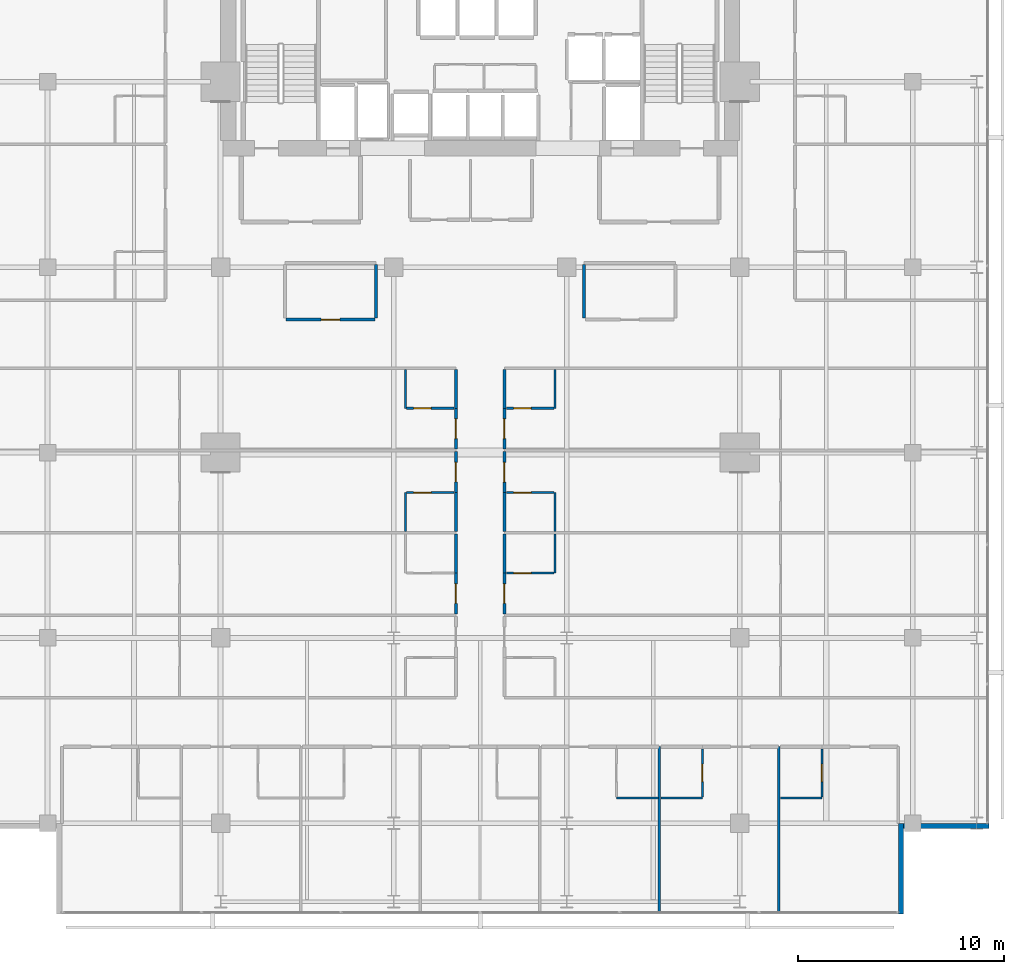
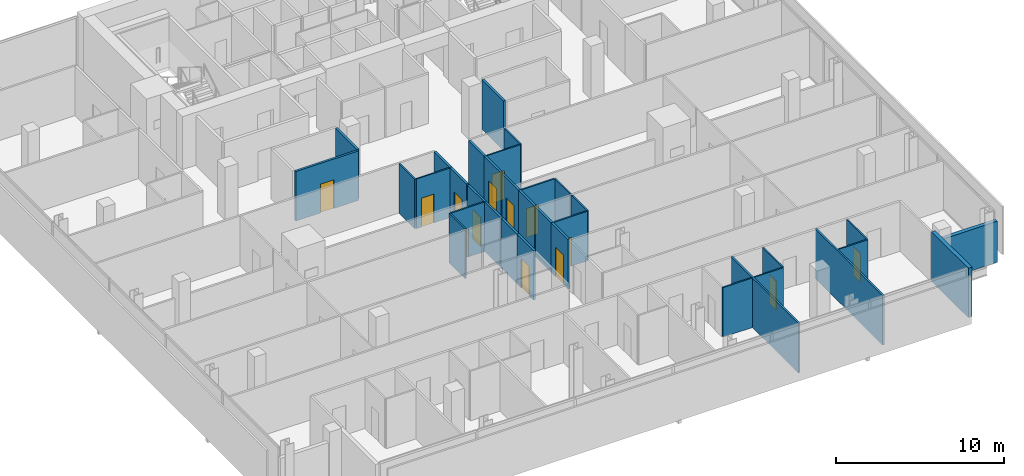
# One storey, part 28 of 34: 34 walls, 14 doors, 14 openings.
"""IFC4 building model written with IfcOpenShell, lengths in metres."""

import ifcopenshell
import ifcopenshell.guid

model = None  # the IFC model being written
_history = None  # IfcOwnerHistory: only IFC2X3 demands one
_inside = {}  # id of a spatial element -> (the spatial element, [elements in it])
_under = {}  # id of a project, library or spatial element -> (it, [spatial elements below it])
_declared = {}  # id of a project -> (the project, [libraries it declares])
_typed = {}  # id of a type object -> (the type object, [elements of that type])
_made_of = {}  # id of a material, layer set ... -> (it, [elements and type objects made of it])


def new_model(schema):
    """Start an empty IFC model of exactly this schema.

    Asked for "IFC4X3", IfcOpenShell would pick the latest addendum, in which some entities
    have other attributes; the version numbers below select the first issue.
    IFC2X3 requires an IfcOwnerHistory on every rooted entity: one is made here for all.
    """
    global model, _history
    if schema == "IFC4X3":
        model = ifcopenshell.file(schema_version=(4, 3, 0, 0))
    else:
        model = ifcopenshell.file(schema=schema)
    _inside.clear()
    _under.clear()
    _declared.clear()
    _typed.clear()
    _made_of.clear()
    _history = None
    if model.schema == "IFC2X3":
        org = make("IfcOrganization", Name="unknown")
        user = make(
            "IfcPersonAndOrganization",
            ThePerson=make("IfcPerson", FamilyName="unknown"),
            TheOrganization=org,
        )
        app = make(
            "IfcApplication",
            ApplicationDeveloper=org,
            Version="unknown",
            ApplicationFullName="unknown",
            ApplicationIdentifier="unknown",
        )
        _history = make(
            "IfcOwnerHistory",
            OwningUser=user,
            OwningApplication=app,
            ChangeAction="ADDED",
            CreationDate=0,
        )
    return model


def make(cls, **values):
    """One entity of the class cls with the attributes given. An attribute that is None is left unset."""
    return model.create_entity(
        cls, **{name: value for name, value in values.items() if value is not None}
    )


def rooted(cls, **values):
    """An entity with a GlobalId (a new one), such as an element, a storey or a relation."""
    return make(cls, GlobalId=ifcopenshell.guid.new(), OwnerHistory=_history, **values)


def si_unit(unit_type, name, prefix=None):
    """IfcSIUnit, for example si_unit("LENGTHUNIT", "METRE", prefix="MILLI")."""
    return make("IfcSIUnit", UnitType=unit_type, Prefix=prefix, Name=name)


def assignment(units):
    """IfcUnitAssignment: the units of a project."""
    return None if units is None else make("IfcUnitAssignment", Units=units)


def point(xyz):
    """IfcCartesianPoint."""
    return None if xyz is None else make("IfcCartesianPoint", Coordinates=xyz)


def direction(xyz):
    """IfcDirection."""
    return None if xyz is None else make("IfcDirection", DirectionRatios=xyz)


def frame(location, z_axis=None, x_axis=None):
    """IfcAxis2Placement3D, a coordinate frame: its origin and axes. An axis left out is left unset."""
    return make(
        "IfcAxis2Placement3D",
        Location=point(location),
        Axis=direction(z_axis),
        RefDirection=direction(x_axis),
    )


def frame_2d(location, x_axis=None):
    """IfcAxis2Placement2D, a coordinate frame in the plane: its origin and x axis."""
    return make(
        "IfcAxis2Placement2D", Location=point(location), RefDirection=direction(x_axis)
    )


def origin():
    """The frame at (0, 0, 0) with its axes left unset."""
    return frame((0.0, 0.0, 0.0))


def place(relative_to, where):
    """IfcLocalPlacement: puts the frame where relative to a parent placement (None: the world)."""
    return make(
        "IfcLocalPlacement", PlacementRelTo=relative_to, RelativePlacement=where
    )


def context(
    kind, dimensions, precision=None, world=None, true_north=None, identifier=None
):
    """IfcGeometricRepresentationContext, for example the 3D "Model" context."""
    return make(
        "IfcGeometricRepresentationContext",
        ContextIdentifier=identifier,
        ContextType=kind,
        CoordinateSpaceDimension=dimensions,
        Precision=precision,
        WorldCoordinateSystem=world,
        TrueNorth=true_north,
    )


def subcontext(parent, identifier, kind, view, scale=None):
    """IfcGeometricRepresentationSubContext, for example "Body" below "Model"."""
    return make(
        "IfcGeometricRepresentationSubContext",
        ContextIdentifier=identifier,
        ContextType=kind,
        ParentContext=parent,
        TargetScale=scale,
        TargetView=view,
    )


def project(units=None, contexts=None):
    """IfcProject with its units and contexts."""
    return rooted(
        "IfcProject",
        Name="project",
        RepresentationContexts=contexts,
        UnitsInContext=assignment(units),
    )


def spatial(cls, under=None, at=None, **own):
    """A site, building, storey or space (cls), placed at a placement, below another one or the project."""
    s = rooted(cls, ObjectPlacement=at, **own)
    if under is not None:
        _under.setdefault(under.id(), (under, []))[1].append(s)
    return s


def profile(cls, at=None, kind="AREA", **sizes):
    """A parametric profile (cls). Its sizes go by their IFC names, for example OverallWidth=200.0."""
    return make(cls, ProfileType=kind, Position=at, **sizes)


def rectangle(**sizes):
    """IfcRectangleProfileDef."""
    return profile("IfcRectangleProfileDef", **sizes)


def extrude(swept, where, along, depth):
    """IfcExtrudedAreaSolid: the profile swept, set in the frame where, extruded along a direction by depth."""
    return make(
        "IfcExtrudedAreaSolid",
        SweptArea=swept,
        Position=where,
        ExtrudedDirection=direction(along),
        Depth=depth,
    )


def shape(context_of_items, identifier, shape_type, items):
    """IfcShapeRepresentation: the items that make up one representation, for example the "Body"."""
    return make(
        "IfcShapeRepresentation",
        ContextOfItems=context_of_items,
        RepresentationIdentifier=identifier,
        RepresentationType=shape_type,
        Items=items,
    )


def material(Name=None, Category=None):
    """IfcMaterial."""
    return make("IfcMaterial", Name=Name, Category=Category)


def layer(
    of_material, thickness, ventilated=None, Name=None, Category=None, Priority=None
):
    """IfcMaterialLayer: one layer of a wall or slab, of a material (None: an air gap)."""
    return make(
        "IfcMaterialLayer",
        Material=of_material,
        LayerThickness=thickness,
        IsVentilated=ventilated,
        Name=Name,
        Category=Category,
        Priority=Priority,
    )


def layer_set(layers, Name=None):
    """IfcMaterialLayerSet."""
    return make("IfcMaterialLayerSet", MaterialLayers=layers, LayerSetName=Name)


def made_of(thing, what):
    """Note that an element or type object is made of a material, layer set ...; save() writes the relation."""
    if what is not None:
        _made_of.setdefault(what.id(), (what, []))[1].append(thing)
    return thing


def type_object(cls, material=None, **own):
    """A type object (cls), such as IfcWallType, which elements share."""
    return made_of(rooted(cls, **own), material)


def element(
    cls,
    number,
    at=None,
    inside=None,
    cuts=None,
    type_object=None,
    material=None,
    context=None,
    identifier="Body",
    shape_type=None,
    held_by="IfcProductDefinitionShape",
    body=None,
    shapes=None,
    **own,
):
    """One element of the class cls, such as IfcWall. Its Tag is "e" and its number.

    at: its placement. inside: the storey or other place that contains it. cuts: it is an
    opening in that element (IfcRelVoidsElement). A single representation is given by context,
    identifier, shape_type and body (its items); several are given by shapes. held_by: the class
    of the entity that holds the representations. save() writes the other relations.
    """
    e = rooted(cls, Tag="e%d" % number, ObjectPlacement=at, **own)
    if body is not None:
        shapes = [shape(context, identifier, shape_type, body)]
    if shapes is not None:
        e.Representation = make(held_by, Representations=shapes)
    if inside is not None:
        _inside.setdefault(inside.id(), (inside, []))[1].append(e)
    if cuts is not None:
        rooted(
            "IfcRelVoidsElement", RelatingBuildingElement=cuts, RelatedOpeningElement=e
        )
    if type_object is not None:
        _typed.setdefault(type_object.id(), (type_object, []))[1].append(e)
    return made_of(e, material)


def fill(opening, filler):
    """IfcRelFillsElement: the door or window that sits in an opening."""
    return rooted(
        "IfcRelFillsElement",
        RelatingOpeningElement=opening,
        RelatedBuildingElement=filler,
    )


def aggregate(whole, parts):
    """IfcRelAggregates: a whole, such as a stair, and the parts it consists of."""
    return rooted("IfcRelAggregates", RelatingObject=whole, RelatedObjects=parts)


def save(model, path):
    """Write the relations noted so far, then the file.

    IfcRelAggregates (storeys below a building ...), IfcRelContainedInSpatialStructure (elements
    in a storey), IfcRelDefinesByType, IfcRelAssociatesMaterial and IfcRelDeclares: one each for
    every whole, place, type object, material and project.
    """
    for whole, parts in _under.values():
        aggregate(whole, parts)
    for where, things in _inside.values():
        rooted(
            "IfcRelContainedInSpatialStructure",
            RelatedElements=things,
            RelatingStructure=where,
        )
    for kind, things in _typed.values():
        rooted("IfcRelDefinesByType", RelatedObjects=things, RelatingType=kind)
    for what, things in _made_of.values():
        rooted("IfcRelAssociatesMaterial", RelatedObjects=things, RelatingMaterial=what)
    for by, libraries in _declared.values():
        rooted("IfcRelDeclares", RelatingContext=by, RelatedDefinitions=libraries)
    model.write(path)


model = new_model("IFC4")

# Units and contexts
model_context = context("Model", 3, precision=1e-05, world=origin(), true_north=direction((0.0, 1.0)))
body_context = subcontext(model_context, "Body", "Model", "MODEL_VIEW")
ifc_project = project(units=[si_unit("LENGTHUNIT", "METRE"), si_unit("AREAUNIT", "SQUARE_METRE"), si_unit("VOLUMEUNIT", "CUBIC_METRE"), si_unit("PLANEANGLEUNIT", "RADIAN"), si_unit("MASSUNIT", "GRAM", prefix="KILO")], contexts=[model_context])

# Site, building, storey
site_placement = place(None, origin())
site = spatial("IfcSite", under=ifc_project, at=site_placement, CompositionType="ELEMENT")
building_placement = place(site_placement, origin())
building = spatial("IfcBuilding", under=site, at=building_placement, Name="Maruvema Waterfront Hotel and Observation Tower", CompositionType="ELEMENT")
storey_placement = place(building_placement, frame((0.0, 0.0, 135.10009765625)))
storey = spatial("IfcBuildingStorey", under=building, at=storey_placement, Name="L32", CompositionType="ELEMENT", Elevation=135.10009765625)

# Wall
ifc_material_1 = material(Name="Twin-stud acoustic gypsum drywall", Category="gypsum")
ifc_layer_1 = layer(ifc_material_1, 0.14990234375, Name="Acoustic Corridor and Suite Demising Wall 150 mm")
ifc_layer_set_1 = layer_set([ifc_layer_1], Name="Twin-stud acoustic gypsum drywall")
wall_type_1 = type_object("IfcWallType", Name="Acoustic Corridor and Suite Demising Wall 150 mm", PredefinedType="PARTITIONING", material=ifc_layer_set_1)
wall_1_placement = place(storey_placement, frame((32.75, 33.530029296875, 0.0), z_axis=(0.0, 0.0, 1.0), x_axis=(0.0, 1.0, 0.0)))
element("IfcWall", 1, at=wall_1_placement, inside=storey, type_object=wall_type_1, Name="L32 L32-M1 East Wall 029", PredefinedType="PARTITIONING", context=body_context, shape_type="SweptSolid", body=[
    extrude(rectangle(XDim=2.590087890625, YDim=0.14990234375, at=frame_2d((1.294921875, 0.0))), origin(), (0.0, 0.0, 1.0), 3.60986328125),
])

# Wall, opening, door
wall_2_placement = place(storey_placement, frame((28.3798828125, 33.449951171875, 0.0), z_axis=(0.0, 0.0, 1.0), x_axis=(1.0, 0.0, 0.0)))
wall_2 = element("IfcWall", 2, at=wall_2_placement, inside=storey, type_object=wall_type_1, Name="L32 L32-M1 Front 1 030", PredefinedType="PARTITIONING", context=body_context, shape_type="SweptSolid", body=[
    extrude(rectangle(XDim=4.31005859375, YDim=0.14990234375, at=frame_2d((2.155029296875, 0.0))), origin(), (0.0, 0.0, 1.0), 3.60986328125),
])
opening_1_placement = place(wall_2_placement, frame((1.705078125, 0.0, 0.0)))
opening_1 = element("IfcOpeningElement", 3, at=opening_1_placement, cuts=wall_2, Name="Opening DR-090", PredefinedType="OPENING", context=body_context, shape_type="SweptSolid", body=[
    extrude(rectangle(XDim=0.89990234375, YDim=2.10009765625, at=frame_2d((0.449951171875, 1.050048828125))), frame((0.0, 0.0849609375, 0.0), z_axis=(0.0, -1.0, 0.0), x_axis=(1.0, 0.0, 0.0)), (0.0, 0.0, 1.0), 0.169921875),
])
ifc_material_2 = material(Name="Solid-core lacquered timber leaf", Category="wood")
door_type_1 = type_object("IfcDoorType", Name="Accessible Toilet and Room Door 900x2100 mm", OperationType="NOTDEFINED", PredefinedType="DOOR", material=ifc_material_2)
door_1_placement = place(opening_1_placement, frame((0.89990234375, 0.0, 0.0), z_axis=(0.0, 0.0, 1.0), x_axis=(-1.0, 0.0, 0.0)))
door_1 = element("IfcDoor", 4, at=door_1_placement, inside=storey, type_object=door_type_1, Name="L32 Butler Kitchenette Door", OperationType="SINGLE_SWING_LEFT", OverallHeight=2.10009765625, OverallWidth=0.89990234375, PredefinedType="DOOR", context=body_context, shape_type="SweptSolid", body=[
    extrude(rectangle(XDim=0.89990234375, YDim=2.10009765625, at=frame_2d((0.449951171875, 1.050048828125))), frame((0.0, 0.02490234375, 0.0), z_axis=(0.0, -1.0, 0.0), x_axis=(1.0, 0.0, 0.0)), (0.0, 0.0, 1.0), 0.050048828125),
])
fill(opening_1, door_1)

# Wall
wall_3_placement = place(storey_placement, frame((42.85009765625, 33.530029296875, 0.0), z_axis=(0.0, 0.0, 1.0), x_axis=(0.0, 1.0, 0.0)))
element("IfcWall", 5, at=wall_3_placement, inside=storey, type_object=wall_type_1, Name="L32 L32-M2 West Wall 032", PredefinedType="PARTITIONING", context=body_context, shape_type="SweptSolid", body=[
    extrude(rectangle(XDim=2.590087890625, YDim=0.14990234375, at=frame_2d((1.294921875, 0.0))), origin(), (0.0, 0.0, 1.0), 3.60986328125),
])

# Wall, opening, door
wall_4_placement = place(storey_placement, frame((36.6201171875, 19.159912109375, 0.0), z_axis=(0.0, 0.0, 1.0), x_axis=(0.0, 1.0, 0.0)))
wall_4 = element("IfcWall", 6, at=wall_4_placement, inside=storey, type_object=wall_type_1, Name="L32 Room L32-W2 Corridor Wall 087", PredefinedType="PARTITIONING", context=body_context, shape_type="SweptSolid", body=[
    extrude(rectangle(XDim=1.989990234375, YDim=0.14990234375, at=frame_2d((0.9951171875, 0.0))), origin(), (0.0, 0.0, 1.0), 3.60986328125),
])
opening_2_placement = place(wall_4_placement, frame((0.52001953125, 0.0, 0.0)))
opening_2 = element("IfcOpeningElement", 7, at=opening_2_placement, cuts=wall_4, Name="Opening DR-095", PredefinedType="OPENING", context=body_context, shape_type="SweptSolid", body=[
    extrude(rectangle(XDim=0.949951171875, YDim=2.14990234375, at=frame_2d((0.47509765625, 1.074951171875))), frame((0.0, 0.0849609375, 0.0), z_axis=(0.0, -1.0, 0.0), x_axis=(1.0, 0.0, 0.0)), (0.0, 0.0, 1.0), 0.169921875),
])
ifc_material_3 = material(Name="Acoustic solid-core hardwood timber leaf", Category="wood")
door_type_2 = type_object("IfcDoorType", Name="Guestroom Entrance Fire Door 950x2150 mm", OperationType="NOTDEFINED", PredefinedType="DOOR", material=ifc_material_3)
door_2_placement = place(opening_2_placement, origin())
door_2 = element("IfcDoor", 8, at=door_2_placement, inside=storey, type_object=door_type_2, Name="L32 Room L32-W2 Entrance Door", OperationType="SINGLE_SWING_RIGHT", OverallHeight=2.14990234375, OverallWidth=0.949951171875, PredefinedType="DOOR", context=body_context, shape_type="SweptSolid", body=[
    extrude(rectangle(XDim=0.949951171875, YDim=2.14990234375, at=frame_2d((0.47509765625, 1.074951171875))), frame((0.0, 0.02490234375, 0.0), z_axis=(0.0, -1.0, 0.0), x_axis=(1.0, 0.0, 0.0)), (0.0, 0.0, 1.0), 0.050048828125),
])
fill(opening_2, door_2)

# Wall
wall_5_placement = place(storey_placement, frame((36.6201171875, 21.14990234375, 0.0), z_axis=(0.0, 0.0, 1.0), x_axis=(0.0, 1.0, 0.0)))
element("IfcWall", 9, at=wall_5_placement, inside=storey, type_object=wall_type_1, Name="L32 Bath L32-W2 Wall 088", PredefinedType="PARTITIONING", context=body_context, shape_type="SweptSolid", body=[
    extrude(rectangle(XDim=1.89013671875, YDim=0.14990234375, at=frame_2d((0.945068359375, 0.0))), origin(), (0.0, 0.0, 1.0), 3.60986328125),
])

# Wall, opening, door
wall_6_placement = place(storey_placement, frame((38.97998046875, 19.159912109375, 0.0), z_axis=(0.0, 0.0, 1.0), x_axis=(0.0, 1.0, 0.0)))
wall_6 = element("IfcWall", 10, at=wall_6_placement, inside=storey, type_object=wall_type_1, Name="L32 Room L32-E2 Corridor Wall 092", PredefinedType="PARTITIONING", context=body_context, shape_type="SweptSolid", body=[
    extrude(rectangle(XDim=1.989990234375, YDim=0.14990234375, at=frame_2d((0.9951171875, 0.0))), origin(), (0.0, 0.0, 1.0), 3.60986328125),
])
opening_3_placement = place(wall_6_placement, frame((0.52001953125, 0.0, 0.0)))
opening_3 = element("IfcOpeningElement", 11, at=opening_3_placement, cuts=wall_6, Name="Opening DR-095", PredefinedType="OPENING", context=body_context, shape_type="SweptSolid", body=[
    extrude(rectangle(XDim=0.949951171875, YDim=2.14990234375, at=frame_2d((0.47509765625, 1.074951171875))), frame((0.0, 0.0849609375, 0.0), z_axis=(0.0, -1.0, 0.0), x_axis=(1.0, 0.0, 0.0)), (0.0, 0.0, 1.0), 0.169921875),
])
door_3_placement = place(opening_3_placement, frame((0.949951171875, 0.0, 0.0), z_axis=(0.0, 0.0, 1.0), x_axis=(-1.0, 0.0, 0.0)))
door_3 = element("IfcDoor", 12, at=door_3_placement, inside=storey, type_object=door_type_2, Name="L32 Room L32-E2 Entrance Door", OperationType="SINGLE_SWING_LEFT", OverallHeight=2.14990234375, OverallWidth=0.949951171875, PredefinedType="DOOR", context=body_context, shape_type="SweptSolid", body=[
    extrude(rectangle(XDim=0.949951171875, YDim=2.14990234375, at=frame_2d((0.47509765625, 1.074951171875))), frame((0.0, 0.02490234375, 0.0), z_axis=(0.0, -1.0, 0.0), x_axis=(1.0, 0.0, 0.0)), (0.0, 0.0, 1.0), 0.050048828125),
])
fill(opening_3, door_3)

# Walls
for number, where, z_axis, x_axis, name in (
    (13, (38.97998046875, 21.14990234375, 0.0), (0.0, 0.0, 1.0), (0.0, 1.0, 0.0), "L32 Bath L32-E2 Wall 093"),
    (14, (36.6201171875, 23.159912109375, 0.0), (0.0, 0.0, 1.0), (0.0, 1.0, 0.0), "L32 Bath L32-W3 Wall 099"),
):
    element("IfcWall", number, at=place(storey_placement, frame(where, z_axis=z_axis, x_axis=x_axis)), inside=storey, type_object=wall_type_1, Name=name, PredefinedType="PARTITIONING", context=body_context, shape_type="SweptSolid", body=[
        extrude(rectangle(XDim=1.89013671875, YDim=0.14990234375, at=frame_2d((0.945068359375, 0.0))), origin(), (0.0, 0.0, 1.0), 3.60986328125),
    ])

# Wall, opening, door
wall_7_placement = place(storey_placement, frame((36.6201171875, 25.050048828125, 0.0), z_axis=(0.0, 0.0, 1.0), x_axis=(0.0, 1.0, 0.0)))
wall_7 = element("IfcWall", 15, at=wall_7_placement, inside=storey, type_object=wall_type_1, Name="L32 Room L32-W3 Corridor Wall 100", PredefinedType="PARTITIONING", context=body_context, shape_type="SweptSolid", body=[
    extrude(rectangle(XDim=1.989990234375, YDim=0.14990234375, at=frame_2d((0.9951171875, 0.0))), origin(), (0.0, 0.0, 1.0), 3.60986328125),
])
opening_4_placement = place(wall_7_placement, frame((0.52001953125, 0.0, 0.0)))
opening_4 = element("IfcOpeningElement", 16, at=opening_4_placement, cuts=wall_7, Name="Opening DR-095", PredefinedType="OPENING", context=body_context, shape_type="SweptSolid", body=[
    extrude(rectangle(XDim=0.949951171875, YDim=2.14990234375, at=frame_2d((0.47509765625, 1.074951171875))), frame((0.0, 0.0849609375, 0.0), z_axis=(0.0, -1.0, 0.0), x_axis=(1.0, 0.0, 0.0)), (0.0, 0.0, 1.0), 0.169921875),
])
door_4_placement = place(opening_4_placement, origin())
door_4 = element("IfcDoor", 17, at=door_4_placement, inside=storey, type_object=door_type_2, Name="L32 Room L32-W3 Entrance Door", OperationType="SINGLE_SWING_RIGHT", OverallHeight=2.14990234375, OverallWidth=0.949951171875, PredefinedType="DOOR", context=body_context, shape_type="SweptSolid", body=[
    extrude(rectangle(XDim=0.949951171875, YDim=2.14990234375, at=frame_2d((0.47509765625, 1.074951171875))), frame((0.0, 0.02490234375, 0.0), z_axis=(0.0, -1.0, 0.0), x_axis=(1.0, 0.0, 0.0)), (0.0, 0.0, 1.0), 0.050048828125),
])
fill(opening_4, door_4)

# Wall
wall_8_placement = place(storey_placement, frame((38.97998046875, 23.159912109375, 0.0), z_axis=(0.0, 0.0, 1.0), x_axis=(0.0, 1.0, 0.0)))
element("IfcWall", 18, at=wall_8_placement, inside=storey, type_object=wall_type_1, Name="L32 Bath L32-E3 Wall 104", PredefinedType="PARTITIONING", context=body_context, shape_type="SweptSolid", body=[
    extrude(rectangle(XDim=1.89013671875, YDim=0.14990234375, at=frame_2d((0.945068359375, 0.0))), origin(), (0.0, 0.0, 1.0), 3.60986328125),
])

# Wall, opening, door
wall_9_placement = place(storey_placement, frame((38.97998046875, 25.050048828125, 0.0), z_axis=(0.0, 0.0, 1.0), x_axis=(0.0, 1.0, 0.0)))
wall_9 = element("IfcWall", 19, at=wall_9_placement, inside=storey, type_object=wall_type_1, Name="L32 Room L32-E3 Corridor Wall 105", PredefinedType="PARTITIONING", context=body_context, shape_type="SweptSolid", body=[
    extrude(rectangle(XDim=1.989990234375, YDim=0.14990234375, at=frame_2d((0.9951171875, 0.0))), origin(), (0.0, 0.0, 1.0), 3.60986328125),
])
opening_5_placement = place(wall_9_placement, frame((0.52001953125, 0.0, 0.0)))
opening_5 = element("IfcOpeningElement", 20, at=opening_5_placement, cuts=wall_9, Name="Opening DR-095", PredefinedType="OPENING", context=body_context, shape_type="SweptSolid", body=[
    extrude(rectangle(XDim=0.949951171875, YDim=2.14990234375, at=frame_2d((0.47509765625, 1.074951171875))), frame((0.0, 0.0849609375, 0.0), z_axis=(0.0, -1.0, 0.0), x_axis=(1.0, 0.0, 0.0)), (0.0, 0.0, 1.0), 0.169921875),
])
door_5_placement = place(opening_5_placement, frame((0.949951171875, 0.0, 0.0), z_axis=(0.0, 0.0, 1.0), x_axis=(-1.0, 0.0, 0.0)))
door_5 = element("IfcDoor", 21, at=door_5_placement, inside=storey, type_object=door_type_2, Name="L32 Room L32-E3 Entrance Door", OperationType="SINGLE_SWING_LEFT", OverallHeight=2.14990234375, OverallWidth=0.949951171875, PredefinedType="DOOR", context=body_context, shape_type="SweptSolid", body=[
    extrude(rectangle(XDim=0.949951171875, YDim=2.14990234375, at=frame_2d((0.47509765625, 1.074951171875))), frame((0.0, 0.02490234375, 0.0), z_axis=(0.0, -1.0, 0.0), x_axis=(1.0, 0.0, 0.0)), (0.0, 0.0, 1.0), 0.050048828125),
])
fill(opening_5, door_5)

wall_10_placement = place(storey_placement, frame((36.6201171875, 27.159912109375, 0.0), z_axis=(0.0, 0.0, 1.0), x_axis=(0.0, 1.0, 0.0)))
wall_10 = element("IfcWall", 22, at=wall_10_placement, inside=storey, type_object=wall_type_1, Name="L32 Room L32-W4 Corridor Wall 111", PredefinedType="PARTITIONING", context=body_context, shape_type="SweptSolid", body=[
    extrude(rectangle(XDim=1.989990234375, YDim=0.14990234375, at=frame_2d((0.9951171875, 0.0))), origin(), (0.0, 0.0, 1.0), 3.60986328125),
])
opening_6_placement = place(wall_10_placement, frame((0.52001953125, 0.0, 0.0)))
opening_6 = element("IfcOpeningElement", 23, at=opening_6_placement, cuts=wall_10, Name="Opening DR-095", PredefinedType="OPENING", context=body_context, shape_type="SweptSolid", body=[
    extrude(rectangle(XDim=0.949951171875, YDim=2.14990234375, at=frame_2d((0.47509765625, 1.074951171875))), frame((0.0, 0.0849609375, 0.0), z_axis=(0.0, -1.0, 0.0), x_axis=(1.0, 0.0, 0.0)), (0.0, 0.0, 1.0), 0.169921875),
])
door_6_placement = place(opening_6_placement, origin())
door_6 = element("IfcDoor", 24, at=door_6_placement, inside=storey, type_object=door_type_2, Name="L32 Room L32-W4 Entrance Door", OperationType="SINGLE_SWING_RIGHT", OverallHeight=2.14990234375, OverallWidth=0.949951171875, PredefinedType="DOOR", context=body_context, shape_type="SweptSolid", body=[
    extrude(rectangle(XDim=0.949951171875, YDim=2.14990234375, at=frame_2d((0.47509765625, 1.074951171875))), frame((0.0, 0.02490234375, 0.0), z_axis=(0.0, -1.0, 0.0), x_axis=(1.0, 0.0, 0.0)), (0.0, 0.0, 1.0), 0.050048828125),
])
fill(opening_6, door_6)

# Wall
wall_11_placement = place(storey_placement, frame((36.6201171875, 29.14990234375, 0.0), z_axis=(0.0, 0.0, 1.0), x_axis=(0.0, 1.0, 0.0)))
element("IfcWall", 25, at=wall_11_placement, inside=storey, type_object=wall_type_1, Name="L32 Bath L32-W4 Wall 112", PredefinedType="PARTITIONING", context=body_context, shape_type="SweptSolid", body=[
    extrude(rectangle(XDim=1.89013671875, YDim=0.14990234375, at=frame_2d((0.945068359375, 0.0))), origin(), (0.0, 0.0, 1.0), 3.60986328125),
])

# Wall, opening, door
wall_12_placement = place(storey_placement, frame((38.97998046875, 27.159912109375, 0.0), z_axis=(0.0, 0.0, 1.0), x_axis=(0.0, 1.0, 0.0)))
wall_12 = element("IfcWall", 26, at=wall_12_placement, inside=storey, type_object=wall_type_1, Name="L32 Room L32-E4 Corridor Wall 116", PredefinedType="PARTITIONING", context=body_context, shape_type="SweptSolid", body=[
    extrude(rectangle(XDim=1.989990234375, YDim=0.14990234375, at=frame_2d((0.9951171875, 0.0))), origin(), (0.0, 0.0, 1.0), 3.60986328125),
])
opening_7_placement = place(wall_12_placement, frame((0.52001953125, 0.0, 0.0)))
opening_7 = element("IfcOpeningElement", 27, at=opening_7_placement, cuts=wall_12, Name="Opening DR-095", PredefinedType="OPENING", context=body_context, shape_type="SweptSolid", body=[
    extrude(rectangle(XDim=0.949951171875, YDim=2.14990234375, at=frame_2d((0.47509765625, 1.074951171875))), frame((0.0, 0.0849609375, 0.0), z_axis=(0.0, -1.0, 0.0), x_axis=(1.0, 0.0, 0.0)), (0.0, 0.0, 1.0), 0.169921875),
])
door_7_placement = place(opening_7_placement, frame((0.949951171875, 0.0, 0.0), z_axis=(0.0, 0.0, 1.0), x_axis=(-1.0, 0.0, 0.0)))
door_7 = element("IfcDoor", 28, at=door_7_placement, inside=storey, type_object=door_type_2, Name="L32 Room L32-E4 Entrance Door", OperationType="SINGLE_SWING_LEFT", OverallHeight=2.14990234375, OverallWidth=0.949951171875, PredefinedType="DOOR", context=body_context, shape_type="SweptSolid", body=[
    extrude(rectangle(XDim=0.949951171875, YDim=2.14990234375, at=frame_2d((0.47509765625, 1.074951171875))), frame((0.0, 0.02490234375, 0.0), z_axis=(0.0, -1.0, 0.0), x_axis=(1.0, 0.0, 0.0)), (0.0, 0.0, 1.0), 0.050048828125),
])
fill(opening_7, door_7)

# Walls
wall_13_placement = place(storey_placement, frame((38.97998046875, 29.14990234375, 0.0), z_axis=(0.0, 0.0, 1.0), x_axis=(0.0, 1.0, 0.0)))
element("IfcWall", 29, at=wall_13_placement, inside=storey, type_object=wall_type_1, Name="L32 Bath L32-E4 Wall 117", PredefinedType="PARTITIONING", context=body_context, shape_type="SweptSolid", body=[
    extrude(rectangle(XDim=1.89013671875, YDim=0.14990234375, at=frame_2d((0.945068359375, 0.0))), origin(), (0.0, 0.0, 1.0), 3.60986328125),
])
ifc_material_4 = material(Name="Moisture-resistant cement-board drywall", Category="gypsum")
ifc_layer_2 = layer(ifc_material_4, 0.10009765625, Name="En-Suite Moisture-Resistant Partition 100 mm")
ifc_layer_set_2 = layer_set([ifc_layer_2], Name="Moisture-resistant cement-board drywall")
wall_type_2 = type_object("IfcWallType", Name="En-Suite Moisture-Resistant Partition 100 mm", PredefinedType="PARTITIONING", material=ifc_layer_set_2)
wall_14_placement = place(storey_placement, frame((44.409912109375, 10.219970703125, 0.0), z_axis=(0.0, 0.0, 1.0), x_axis=(1.0, 0.0, 0.0)))
element("IfcWall", 30, at=wall_14_placement, inside=storey, type_object=wall_type_2, Name="L32 En-Suite L32-S5 South 058", PredefinedType="PARTITIONING", context=body_context, shape_type="SweptSolid", body=[
    extrude(rectangle(XDim=2.050048828125, YDim=0.10009765625, at=frame_2d((1.02490234375, 0.0))), origin(), (0.0, 0.0, 1.0), 3.60986328125),
])
wall_15_placement = place(storey_placement, frame((46.580078125, 10.219970703125, 0.0), z_axis=(0.0, 0.0, 1.0), x_axis=(1.0, 0.0, 0.0)))
element("IfcWall", 31, at=wall_15_placement, inside=storey, type_object=wall_type_2, Name="L32 En-Suite L32-S6 South 063", PredefinedType="PARTITIONING", context=body_context, shape_type="SweptSolid", body=[
    extrude(rectangle(XDim=2.010009765625, YDim=0.10009765625, at=frame_2d((1.0048828125, 0.0))), origin(), (0.0, 0.0, 1.0), 3.60986328125),
])

# Wall, opening, door
wall_16_placement = place(storey_placement, frame((48.590087890625, 10.280029296875, 0.0), z_axis=(0.0, 0.0, 1.0), x_axis=(0.0, 1.0, 0.0)))
wall_16 = element("IfcWall", 32, at=wall_16_placement, inside=storey, type_object=wall_type_2, Name="L32 En-Suite L32-S6 East 064", PredefinedType="PARTITIONING", context=body_context, shape_type="SweptSolid", body=[
    extrude(rectangle(XDim=2.340087890625, YDim=0.10009765625, at=frame_2d((1.169921875, 0.0))), origin(), (0.0, 0.0, 1.0), 3.60986328125),
])
opening_8_placement = place(wall_16_placement, frame((0.7451171875, 0.0, 0.0)))
opening_8 = element("IfcOpeningElement", 33, at=opening_8_placement, cuts=wall_16, Name="Opening DR-085", PredefinedType="OPENING", context=body_context, shape_type="SweptSolid", body=[
    extrude(rectangle(XDim=0.85009765625, YDim=2.10009765625, at=frame_2d((0.425048828125, 1.050048828125))), frame((0.0, 0.06005859375, 0.0), z_axis=(0.0, -1.0, 0.0), x_axis=(1.0, 0.0, 0.0)), (0.0, 0.0, 1.0), 0.1201171875),
])
ifc_material_5 = material(Name="Moisture-resistant solid timber leaf", Category="wood")
door_type_3 = type_object("IfcDoorType", Name="En-Suite Bathroom Door 850x2100 mm", OperationType="NOTDEFINED", PredefinedType="DOOR", material=ifc_material_5)
door_8_placement = place(opening_8_placement, frame((0.85009765625, 0.0, 0.0), z_axis=(0.0, 0.0, 1.0), x_axis=(-1.0, 0.0, 0.0)))
door_8 = element("IfcDoor", 34, at=door_8_placement, inside=storey, type_object=door_type_3, Name="L32 En-Suite L32-S6 Door", OperationType="SINGLE_SWING_LEFT", OverallHeight=2.10009765625, OverallWidth=0.85009765625, PredefinedType="DOOR", context=body_context, shape_type="SweptSolid", body=[
    extrude(rectangle(XDim=0.85009765625, YDim=2.10009765625, at=frame_2d((0.425048828125, 1.050048828125))), frame((0.0, 0.02490234375, 0.0), z_axis=(0.0, -1.0, 0.0), x_axis=(1.0, 0.0, 0.0)), (0.0, 0.0, 1.0), 0.050048828125),
])
fill(opening_8, door_8)

# Wall
wall_17_placement = place(storey_placement, frame((52.3798828125, 10.219970703125, 0.0), z_axis=(0.0, 0.0, 1.0), x_axis=(1.0, 0.0, 0.0)))
element("IfcWall", 35, at=wall_17_placement, inside=storey, type_object=wall_type_2, Name="L32 En-Suite L32-S7 South 068", PredefinedType="PARTITIONING", context=body_context, shape_type="SweptSolid", body=[
    extrude(rectangle(XDim=2.010009765625, YDim=0.10009765625, at=frame_2d((1.0048828125, 0.0))), origin(), (0.0, 0.0, 1.0), 3.60986328125),
])

# Wall, opening, door
wall_18_placement = place(storey_placement, frame((54.389892578125, 10.280029296875, 0.0), z_axis=(0.0, 0.0, 1.0), x_axis=(0.0, 1.0, 0.0)))
wall_18 = element("IfcWall", 36, at=wall_18_placement, inside=storey, type_object=wall_type_2, Name="L32 En-Suite L32-S7 East 069", PredefinedType="PARTITIONING", context=body_context, shape_type="SweptSolid", body=[
    extrude(rectangle(XDim=2.340087890625, YDim=0.10009765625, at=frame_2d((1.169921875, 0.0))), origin(), (0.0, 0.0, 1.0), 3.60986328125),
])
opening_9_placement = place(wall_18_placement, frame((0.7451171875, 0.0, 0.0)))
opening_9 = element("IfcOpeningElement", 37, at=opening_9_placement, cuts=wall_18, Name="Opening DR-085", PredefinedType="OPENING", context=body_context, shape_type="SweptSolid", body=[
    extrude(rectangle(XDim=0.85009765625, YDim=2.10009765625, at=frame_2d((0.425048828125, 1.050048828125))), frame((0.0, 0.06005859375, 0.0), z_axis=(0.0, -1.0, 0.0), x_axis=(1.0, 0.0, 0.0)), (0.0, 0.0, 1.0), 0.1201171875),
])
door_9_placement = place(opening_9_placement, frame((0.85009765625, 0.0, 0.0), z_axis=(0.0, 0.0, 1.0), x_axis=(-1.0, 0.0, 0.0)))
door_9 = element("IfcDoor", 38, at=door_9_placement, inside=storey, type_object=door_type_3, Name="L32 En-Suite L32-S7 Door", OperationType="SINGLE_SWING_LEFT", OverallHeight=2.10009765625, OverallWidth=0.85009765625, PredefinedType="DOOR", context=body_context, shape_type="SweptSolid", body=[
    extrude(rectangle(XDim=0.85009765625, YDim=2.10009765625, at=frame_2d((0.425048828125, 1.050048828125))), frame((0.0, 0.02490234375, 0.0), z_axis=(0.0, -1.0, 0.0), x_axis=(1.0, 0.0, 0.0)), (0.0, 0.0, 1.0), 0.050048828125),
])
fill(opening_9, door_9)

# Wall
wall_19_placement = place(storey_placement, frame((41.429931640625, 21.14990234375, 0.0), z_axis=(0.0, 0.0, 1.0), x_axis=(0.0, 1.0, 0.0)))
element("IfcWall", 39, at=wall_19_placement, inside=storey, type_object=wall_type_2, Name="L32 En-Suite L32-E2 E 094", PredefinedType="PARTITIONING", context=body_context, shape_type="SweptSolid", body=[
    extrude(rectangle(XDim=1.89013671875, YDim=0.10009765625, at=frame_2d((0.945068359375, 0.0))), origin(), (0.0, 0.0, 1.0), 3.60986328125),
])

# Wall, opening, door
wall_20_placement = place(storey_placement, frame((39.080078125, 21.14990234375, 0.0), z_axis=(0.0, 0.0, 1.0), x_axis=(1.0, 0.0, 0.0)))
wall_20 = element("IfcWall", 40, at=wall_20_placement, inside=storey, type_object=wall_type_2, Name="L32 En-Suite L32-E2 S 095", PredefinedType="PARTITIONING", context=body_context, shape_type="SweptSolid", body=[
    extrude(rectangle(XDim=2.2998046875, YDim=0.10009765625, at=frame_2d((1.14990234375, 0.0))), origin(), (0.0, 0.0, 1.0), 3.60986328125),
])
opening_10_placement = place(wall_20_placement, frame((0.35009765625, 0.0, 0.0)))
opening_10 = element("IfcOpeningElement", 41, at=opening_10_placement, cuts=wall_20, Name="Opening DR-085", PredefinedType="OPENING", context=body_context, shape_type="SweptSolid", body=[
    extrude(rectangle(XDim=0.85009765625, YDim=2.10009765625, at=frame_2d((0.425048828125, 1.050048828125))), frame((0.0, 0.06005859375, 0.0), z_axis=(0.0, -1.0, 0.0), x_axis=(1.0, 0.0, 0.0)), (0.0, 0.0, 1.0), 0.1201171875),
])
door_10_placement = place(opening_10_placement, frame((0.85009765625, 0.0, 0.0), z_axis=(0.0, 0.0, 1.0), x_axis=(-1.0, 0.0, 0.0)))
door_10 = element("IfcDoor", 42, at=door_10_placement, inside=storey, type_object=door_type_3, Name="L32 En-Suite L32-E2 Door", OperationType="SINGLE_SWING_RIGHT", OverallHeight=2.10009765625, OverallWidth=0.85009765625, PredefinedType="DOOR", context=body_context, shape_type="SweptSolid", body=[
    extrude(rectangle(XDim=0.85009765625, YDim=2.10009765625, at=frame_2d((0.425048828125, 1.050048828125))), frame((0.0, 0.02490234375, 0.0), z_axis=(0.0, -1.0, 0.0), x_axis=(1.0, 0.0, 0.0)), (0.0, 0.0, 1.0), 0.050048828125),
])
fill(opening_10, door_10)

# Wall
wall_21_placement = place(storey_placement, frame((34.169921875, 23.159912109375, 0.0), z_axis=(0.0, 0.0, 1.0), x_axis=(0.0, 1.0, 0.0)))
element("IfcWall", 43, at=wall_21_placement, inside=storey, type_object=wall_type_2, Name="L32 En-Suite L32-W3 W 101", PredefinedType="PARTITIONING", context=body_context, shape_type="SweptSolid", body=[
    extrude(rectangle(XDim=1.89013671875, YDim=0.10009765625, at=frame_2d((0.945068359375, 0.0))), origin(), (0.0, 0.0, 1.0), 3.60986328125),
])

# Wall, opening, door
wall_22_placement = place(storey_placement, frame((34.219970703125, 25.050048828125, 0.0), z_axis=(0.0, 0.0, 1.0), x_axis=(1.0, 0.0, 0.0)))
wall_22 = element("IfcWall", 44, at=wall_22_placement, inside=storey, type_object=wall_type_2, Name="L32 En-Suite L32-W3 N 102", PredefinedType="PARTITIONING", context=body_context, shape_type="SweptSolid", body=[
    extrude(rectangle(XDim=2.300048828125, YDim=0.10009765625, at=frame_2d((1.14990234375, 0.0))), origin(), (0.0, 0.0, 1.0), 3.60986328125),
])
opening_11_placement = place(wall_22_placement, frame((0.35009765625, 0.0, 0.0)))
opening_11 = element("IfcOpeningElement", 45, at=opening_11_placement, cuts=wall_22, Name="Opening DR-085", PredefinedType="OPENING", context=body_context, shape_type="SweptSolid", body=[
    extrude(rectangle(XDim=0.85009765625, YDim=2.10009765625, at=frame_2d((0.425048828125, 1.050048828125))), frame((0.0, 0.06005859375, 0.0), z_axis=(0.0, -1.0, 0.0), x_axis=(1.0, 0.0, 0.0)), (0.0, 0.0, 1.0), 0.1201171875),
])
door_11_placement = place(opening_11_placement, origin())
door_11 = element("IfcDoor", 46, at=door_11_placement, inside=storey, type_object=door_type_3, Name="L32 En-Suite L32-W3 Door", OperationType="SINGLE_SWING_LEFT", OverallHeight=2.10009765625, OverallWidth=0.85009765625, PredefinedType="DOOR", context=body_context, shape_type="SweptSolid", body=[
    extrude(rectangle(XDim=0.85009765625, YDim=2.10009765625, at=frame_2d((0.425048828125, 1.050048828125))), frame((0.0, 0.02490234375, 0.0), z_axis=(0.0, -1.0, 0.0), x_axis=(1.0, 0.0, 0.0)), (0.0, 0.0, 1.0), 0.050048828125),
])
fill(opening_11, door_11)

# Wall
wall_23_placement = place(storey_placement, frame((41.429931640625, 23.159912109375, 0.0), z_axis=(0.0, 0.0, 1.0), x_axis=(0.0, 1.0, 0.0)))
element("IfcWall", 47, at=wall_23_placement, inside=storey, type_object=wall_type_2, Name="L32 En-Suite L32-E3 E 106", PredefinedType="PARTITIONING", context=body_context, shape_type="SweptSolid", body=[
    extrude(rectangle(XDim=1.89013671875, YDim=0.10009765625, at=frame_2d((0.945068359375, 0.0))), origin(), (0.0, 0.0, 1.0), 3.60986328125),
])

# Wall, opening, door
wall_24_placement = place(storey_placement, frame((39.080078125, 25.050048828125, 0.0), z_axis=(0.0, 0.0, 1.0), x_axis=(1.0, 0.0, 0.0)))
wall_24 = element("IfcWall", 48, at=wall_24_placement, inside=storey, type_object=wall_type_2, Name="L32 En-Suite L32-E3 N 107", PredefinedType="PARTITIONING", context=body_context, shape_type="SweptSolid", body=[
    extrude(rectangle(XDim=2.2998046875, YDim=0.10009765625, at=frame_2d((1.14990234375, 0.0))), origin(), (0.0, 0.0, 1.0), 3.60986328125),
])
opening_12_placement = place(wall_24_placement, frame((0.35009765625, 0.0, 0.0)))
opening_12 = element("IfcOpeningElement", 49, at=opening_12_placement, cuts=wall_24, Name="Opening DR-085", PredefinedType="OPENING", context=body_context, shape_type="SweptSolid", body=[
    extrude(rectangle(XDim=0.85009765625, YDim=2.10009765625, at=frame_2d((0.425048828125, 1.050048828125))), frame((0.0, 0.06005859375, 0.0), z_axis=(0.0, -1.0, 0.0), x_axis=(1.0, 0.0, 0.0)), (0.0, 0.0, 1.0), 0.1201171875),
])
door_12_placement = place(opening_12_placement, origin())
door_12 = element("IfcDoor", 50, at=door_12_placement, inside=storey, type_object=door_type_3, Name="L32 En-Suite L32-E3 Door", OperationType="SINGLE_SWING_RIGHT", OverallHeight=2.10009765625, OverallWidth=0.85009765625, PredefinedType="DOOR", context=body_context, shape_type="SweptSolid", body=[
    extrude(rectangle(XDim=0.85009765625, YDim=2.10009765625, at=frame_2d((0.425048828125, 1.050048828125))), frame((0.0, 0.02490234375, 0.0), z_axis=(0.0, -1.0, 0.0), x_axis=(1.0, 0.0, 0.0)), (0.0, 0.0, 1.0), 0.050048828125),
])
fill(opening_12, door_12)

# Wall
wall_25_placement = place(storey_placement, frame((34.169921875, 29.14990234375, 0.0), z_axis=(0.0, 0.0, 1.0), x_axis=(0.0, 1.0, 0.0)))
element("IfcWall", 51, at=wall_25_placement, inside=storey, type_object=wall_type_2, Name="L32 En-Suite L32-W4 W 113", PredefinedType="PARTITIONING", context=body_context, shape_type="SweptSolid", body=[
    extrude(rectangle(XDim=1.89013671875, YDim=0.10009765625, at=frame_2d((0.945068359375, 0.0))), origin(), (0.0, 0.0, 1.0), 3.60986328125),
])

# Wall, opening, door
wall_26_placement = place(storey_placement, frame((34.219970703125, 29.14990234375, 0.0), z_axis=(0.0, 0.0, 1.0), x_axis=(1.0, 0.0, 0.0)))
wall_26 = element("IfcWall", 52, at=wall_26_placement, inside=storey, type_object=wall_type_2, Name="L32 En-Suite L32-W4 S 114", PredefinedType="PARTITIONING", context=body_context, shape_type="SweptSolid", body=[
    extrude(rectangle(XDim=2.300048828125, YDim=0.10009765625, at=frame_2d((1.14990234375, 0.0))), origin(), (0.0, 0.0, 1.0), 3.60986328125),
])
opening_13_placement = place(wall_26_placement, frame((0.35009765625, 0.0, 0.0)))
opening_13 = element("IfcOpeningElement", 53, at=opening_13_placement, cuts=wall_26, Name="Opening DR-085", PredefinedType="OPENING", context=body_context, shape_type="SweptSolid", body=[
    extrude(rectangle(XDim=0.85009765625, YDim=2.10009765625, at=frame_2d((0.425048828125, 1.050048828125))), frame((0.0, 0.06005859375, 0.0), z_axis=(0.0, -1.0, 0.0), x_axis=(1.0, 0.0, 0.0)), (0.0, 0.0, 1.0), 0.1201171875),
])
door_13_placement = place(opening_13_placement, frame((0.85009765625, 0.0, 0.0), z_axis=(0.0, 0.0, 1.0), x_axis=(-1.0, 0.0, 0.0)))
door_13 = element("IfcDoor", 54, at=door_13_placement, inside=storey, type_object=door_type_3, Name="L32 En-Suite L32-W4 Door", OperationType="SINGLE_SWING_LEFT", OverallHeight=2.10009765625, OverallWidth=0.85009765625, PredefinedType="DOOR", context=body_context, shape_type="SweptSolid", body=[
    extrude(rectangle(XDim=0.85009765625, YDim=2.10009765625, at=frame_2d((0.425048828125, 1.050048828125))), frame((0.0, 0.02490234375, 0.0), z_axis=(0.0, -1.0, 0.0), x_axis=(1.0, 0.0, 0.0)), (0.0, 0.0, 1.0), 0.050048828125),
])
fill(opening_13, door_13)

# Wall
wall_27_placement = place(storey_placement, frame((41.429931640625, 29.14990234375, 0.0), z_axis=(0.0, 0.0, 1.0), x_axis=(0.0, 1.0, 0.0)))
element("IfcWall", 55, at=wall_27_placement, inside=storey, type_object=wall_type_2, Name="L32 En-Suite L32-E4 E 118", PredefinedType="PARTITIONING", context=body_context, shape_type="SweptSolid", body=[
    extrude(rectangle(XDim=1.89013671875, YDim=0.10009765625, at=frame_2d((0.945068359375, 0.0))), origin(), (0.0, 0.0, 1.0), 3.60986328125),
])

# Wall, opening, door
wall_28_placement = place(storey_placement, frame((39.080078125, 29.14990234375, 0.0), z_axis=(0.0, 0.0, 1.0), x_axis=(1.0, 0.0, 0.0)))
wall_28 = element("IfcWall", 56, at=wall_28_placement, inside=storey, type_object=wall_type_2, Name="L32 En-Suite L32-E4 S 119", PredefinedType="PARTITIONING", context=body_context, shape_type="SweptSolid", body=[
    extrude(rectangle(XDim=2.2998046875, YDim=0.10009765625, at=frame_2d((1.14990234375, 0.0))), origin(), (0.0, 0.0, 1.0), 3.60986328125),
])
opening_14_placement = place(wall_28_placement, frame((0.35009765625, 0.0, 0.0)))
opening_14 = element("IfcOpeningElement", 57, at=opening_14_placement, cuts=wall_28, Name="Opening DR-085", PredefinedType="OPENING", context=body_context, shape_type="SweptSolid", body=[
    extrude(rectangle(XDim=0.85009765625, YDim=2.10009765625, at=frame_2d((0.425048828125, 1.050048828125))), frame((0.0, 0.06005859375, 0.0), z_axis=(0.0, -1.0, 0.0), x_axis=(1.0, 0.0, 0.0)), (0.0, 0.0, 1.0), 0.1201171875),
])
door_14_placement = place(opening_14_placement, frame((0.85009765625, 0.0, 0.0), z_axis=(0.0, 0.0, 1.0), x_axis=(-1.0, 0.0, 0.0)))
door_14 = element("IfcDoor", 58, at=door_14_placement, inside=storey, type_object=door_type_3, Name="L32 En-Suite L32-E4 Door", OperationType="SINGLE_SWING_RIGHT", OverallHeight=2.10009765625, OverallWidth=0.85009765625, PredefinedType="DOOR", context=body_context, shape_type="SweptSolid", body=[
    extrude(rectangle(XDim=0.85009765625, YDim=2.10009765625, at=frame_2d((0.425048828125, 1.050048828125))), frame((0.0, 0.02490234375, 0.0), z_axis=(0.0, -1.0, 0.0), x_axis=(1.0, 0.0, 0.0)), (0.0, 0.0, 1.0), 0.050048828125),
])
fill(opening_14, door_14)

# Walls
ifc_material_6 = material(Name="Precast concrete C45/55 with honed Pernambuco granite facing", Category="masonry")
ifc_layer_3 = layer(ifc_material_6, 0.260009765625, Name="Exterior Granite Clad Spandrel and Pier Wall 260 mm")
ifc_layer_set_3 = layer_set([ifc_layer_3], Name="Precast concrete C45/55 with honed Pernambuco granite facing")
wall_type_3 = type_object("IfcWallType", Name="Exterior Granite Clad Spandrel and Pier Wall 260 mm", PredefinedType="SOLIDWALL", material=ifc_layer_set_3)
wall_29_placement = place(storey_placement, frame((58.22998046875, 9.0, 0.0), z_axis=(0.0, 0.0, 1.0), x_axis=(0.0, -1.0, 0.0)))
element("IfcWall", 59, at=wall_29_placement, inside=storey, type_object=wall_type_3, Name="L32 Corner Notch Granite Pier Wall SE1", PredefinedType="SOLIDWALL", context=body_context, shape_type="SweptSolid", body=[
    extrude(rectangle(XDim=4.39990234375, YDim=0.260009765625, at=frame_2d((2.199951171875, 0.0))), origin(), (0.0, 0.0, 1.0), 3.60986328125),
])
wall_30_placement = place(storey_placement, frame((62.5, 8.8701171875, 0.0), z_axis=(0.0, 0.0, 1.0), x_axis=(-1.0, 0.0, 0.0)))
element("IfcWall", 60, at=wall_30_placement, inside=storey, type_object=wall_type_3, Name="L32 Corner Notch Granite Pier Wall SE2", PredefinedType="SOLIDWALL", context=body_context, shape_type="SweptSolid", body=[
    extrude(rectangle(XDim=4.39990234375, YDim=0.260009765625, at=frame_2d((2.199951171875, 0.0))), origin(), (0.0, 0.0, 1.0), 2.997802734375),
])
ifc_material_7 = material(Name="Acoustic gypsum plasterboard drywall", Category="gypsum")
ifc_layer_4 = layer(ifc_material_7, 0.125, Name="Guestroom Acoustic Demising Wall 125 mm")
ifc_layer_set_4 = layer_set([ifc_layer_4], Name="Acoustic gypsum plasterboard drywall")
wall_type_4 = type_object("IfcWallType", Name="Guestroom Acoustic Demising Wall 125 mm", PredefinedType="PARTITIONING", material=ifc_layer_set_4)
for number, where, z_axis, x_axis, name in (
    (61, (46.5, 4.699951171875, 0.0), (0.0, 0.0, 1.0), (0.0, 1.0, 0.0), "L32 Z2 S Demising 6 061"),
    (62, (52.300048828125, 4.699951171875, 0.0), (0.0, 0.0, 1.0), (0.0, 1.0, 0.0), "L32 Z2 S Demising 7 066"),
):
    element("IfcWall", number, at=place(storey_placement, frame(where, z_axis=z_axis, x_axis=x_axis)), inside=storey, type_object=wall_type_4, Name=name, PredefinedType="PARTITIONING", context=body_context, shape_type="SweptSolid", body=[
        extrude(rectangle(XDim=8.02001953125, YDim=0.125, at=frame_2d((4.010009765625, 0.0))), origin(), (0.0, 0.0, 1.0), 3.60986328125),
    ])

save(model, "model.ifc")
